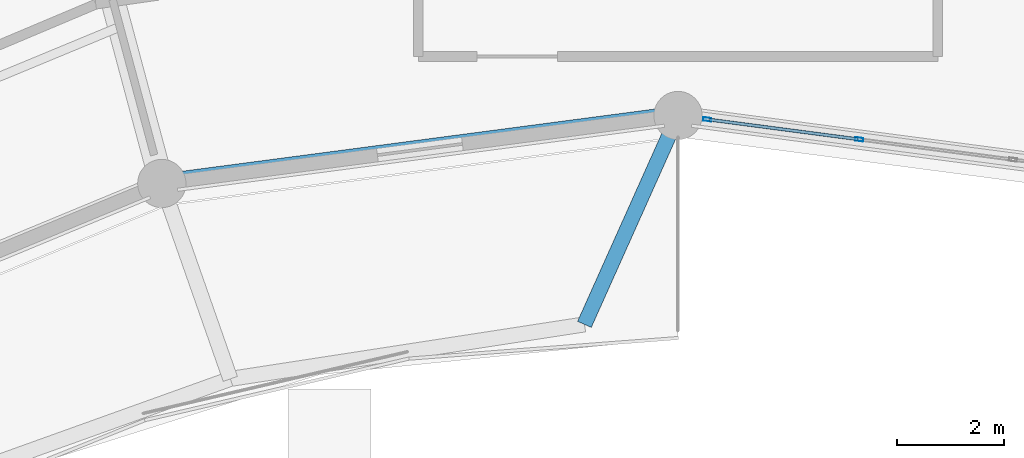
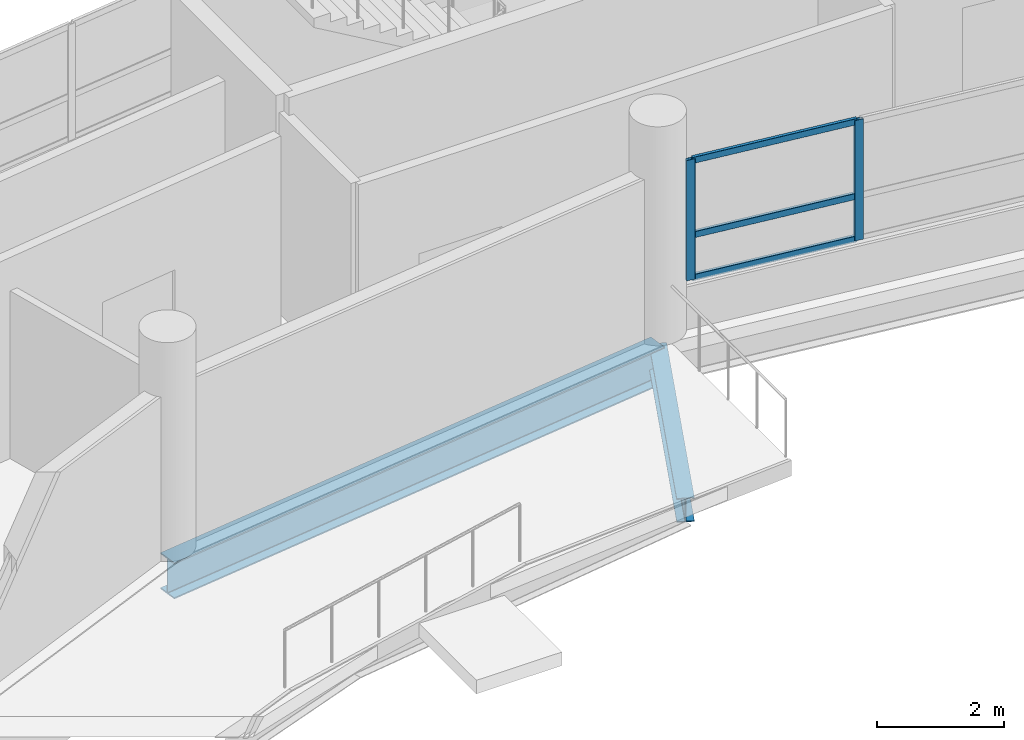
# One storey, part 65 of 128: 5 members, 2 beams, 1 element without a shape of its own.
"""IFC4 building model written with IfcOpenShell, lengths in metres."""

from ifc_helpers import new_model, si_unit, direction, frame, origin, origin_2d, place, context, subcontext, project, spatial, hollow_rectangle, i_section, extrude, material, layer, layer_set, material_profile, profile_set, type_object, element, aggregate, save


model = new_model("IFC4")

# Units and contexts
model_context = context("Model", 3, precision=1e-05, world=origin(), true_north=direction((0.0, 1.0)))
body_context = subcontext(model_context, "Body", "Model", "MODEL_VIEW")
ifc_project = project(units=[si_unit("LENGTHUNIT", "METRE"), si_unit("AREAUNIT", "SQUARE_METRE"), si_unit("VOLUMEUNIT", "CUBIC_METRE"), si_unit("PLANEANGLEUNIT", "RADIAN"), si_unit("MASSUNIT", "GRAM", prefix="KILO")], contexts=[model_context])

# Site, building, storey
site_placement = place(None, origin())
site = spatial("IfcSite", under=ifc_project, at=site_placement, CompositionType="ELEMENT")
building_placement = place(site_placement, origin())
building = spatial("IfcBuilding", under=site, at=building_placement, Name="Vespera Passage Community Centre", CompositionType="ELEMENT")
storey_placement = place(building_placement, frame((0.0, 0.0, 4.5)))
storey = spatial("IfcBuildingStorey", under=building, at=storey_placement, Name="L01", CompositionType="ELEMENT", Elevation=4.5)

# Beams
ifc_material_1 = material(Name="Steel ASTM A992 Grade 50", Category="steel")
ifc_material_profile_1 = material_profile(ifc_material_1, i_section(OverallWidth=0.280517578125, OverallDepth=0.46240234375, WebThickness=0.0107421875, FlangeThickness=0.017333984375, FilletRadius=0.01025390625, at=origin_2d()), Name="W18X76")
ifc_profile_set_1 = profile_set([ifc_material_profile_1], Name="Steel ASTM A992 Grade 50")
beam_type_1 = type_object("IfcBeamType", Name="BM-RB-W18X76E", PredefinedType="SPANDREL", material=ifc_profile_set_1)
beam_1_placement = place(storey_placement, frame((76.254638671875, 98.80419921875, -0.4912109375), z_axis=(0.408858840233, 0.912597637934, 0.0), x_axis=(-0.912597637934, 0.408858840233, 0.0)))
element("IfcBeam", 1, at=beam_1_placement, inside=storey, type_object=beam_type_1, Name="Courtyard Terrace Radial Beam 1", PredefinedType="SPANDREL", context=body_context, shape_type="SweptSolid", body=[
    extrude(i_section(OverallWidth=0.280517578125, OverallDepth=0.46240234375, WebThickness=0.0107421875, FlangeThickness=0.017333984375, FilletRadius=0.01025390625, at=origin_2d()), origin(), (0.0, 0.0, 1.0), 4.268798828125),
])
ifc_material_2 = material(Name="Steel ASTM A992 Grade 50", Category="steel")
ifc_material_profile_2 = material_profile(ifc_material_2, i_section(OverallWidth=0.3544921875, OverallDepth=0.695556640625, WebThickness=0.015380859375, FlangeThickness=0.024658203125, FilletRadius=0.01513671875, at=origin_2d()), Name="W27X146")
ifc_profile_set_2 = profile_set([ifc_material_profile_2], Name="Steel ASTM A992 Grade 50")
beam_type_2 = type_object("IfcBeamType", Name="BM-SP-W27X146E", PredefinedType="SPANDREL", material=ifc_profile_set_2)
beam_2_placement = place(storey_placement, frame((78.0, 102.699951171875, -0.587890625), z_axis=(-0.991444794834, -0.130526697639, 0.0), x_axis=(0.130526697639, -0.991444794834, 0.0)))
element("IfcBeam", 2, at=beam_2_placement, inside=storey, type_object=beam_type_2, Name="V4 L01 Inner Spandrel 6", PredefinedType="SPANDREL", context=body_context, shape_type="SweptSolid", body=[
    extrude(i_section(OverallWidth=0.3544921875, OverallDepth=0.695556640625, WebThickness=0.015380859375, FlangeThickness=0.024658203125, FilletRadius=0.01513671875, at=origin_2d()), origin(), (0.0, 0.0, 1.0), 9.711181640625),
])

# Curtain wall, members
ifc_material_3 = material(Name="Anodized aluminium 6063-T6", Category="aluminium")
ifc_layer = layer(ifc_material_3, 0.159912109375)
ifc_layer_set = layer_set([ifc_layer], Name="Anodized aluminium 6063-T6")
curtain_wall_type = type_object("IfcCurtainWallType", Name="CW-14E", PredefinedType="NOTDEFINED", material=ifc_layer_set)
curtain_wall_placement = place(storey_placement, origin())
curtain_wall = element("IfcCurtainWall", 3, at=curtain_wall_placement, inside=storey, type_object=curtain_wall_type, Name="V4 L01 Inner Court Curtain Wall 5", PredefinedType="NOTDEFINED")
ifc_material_4 = material(Name="Anodized aluminium 6063-T6", Category="aluminium")
ifc_material_profile_3 = material_profile(ifc_material_4, hollow_rectangle(XDim=0.06494140625, YDim=0.14990234375, WallThickness=0.00390625, InnerFilletRadius=0.001953125, OuterFilletRadius=0.00390625, at=origin_2d()), Name="ALU150X65X4")
ifc_profile_set_3 = profile_set([ifc_material_profile_3], Name="Anodized aluminium 6063-T6")
member_type_1 = type_object("IfcMemberType", Name="MB-CWM-150E", PredefinedType="MULLION", material=ifc_profile_set_3)
member_1_placement = place(storey_placement, frame((81.38037109375, 102.2548828125, 0.820068359375), z_axis=(0.0, 0.0, 1.0), x_axis=(-0.1305221941, -0.991445387728, 0.0)))
member_1 = element("IfcMember", 4, at=member_1_placement, type_object=member_type_1, Name="CW-14E mullion 3", PredefinedType="MULLION", context=body_context, shape_type="SweptSolid", body=[
    extrude(hollow_rectangle(XDim=0.06494140625, YDim=0.14990234375, WallThickness=0.00390625, InnerFilletRadius=0.001953125, OuterFilletRadius=0.00390625, at=origin_2d()), origin(), (0.0, 0.0, 1.0), 2.309326171875),
])
member_2_placement = place(storey_placement, frame((78.54541015625, 102.628173828125, 0.820068359375), z_axis=(0.0, 0.0, 1.0), x_axis=(-0.1305221941, -0.991445387728, 0.0)))
member_2 = element("IfcMember", 5, at=member_2_placement, type_object=member_type_1, Name="CW-14E mullion 4", PredefinedType="MULLION", context=body_context, shape_type="SweptSolid", body=[
    extrude(hollow_rectangle(XDim=0.06494140625, YDim=0.14990234375, WallThickness=0.00390625, InnerFilletRadius=0.001953125, OuterFilletRadius=0.00390625, at=origin_2d()), origin(), (0.0, 0.0, 1.0), 2.309326171875),
])
ifc_material_5 = material(Name="Anodized aluminium 6063-T6", Category="aluminium")
ifc_material_profile_4 = material_profile(ifc_material_5, hollow_rectangle(XDim=0.06005859375, YDim=0.1201171875, WallThickness=0.00390625, InnerFilletRadius=0.001953125, OuterFilletRadius=0.00390625, at=origin_2d()), Name="ALU120X60X4")
ifc_profile_set_4 = profile_set([ifc_material_profile_4], Name="Anodized aluminium 6063-T6")
member_type_2 = type_object("IfcMemberType", Name="MB-CWT-120E", PredefinedType="USERDEFINED", material=ifc_profile_set_4)
member_3_placement = place(storey_placement, frame((81.34814453125, 102.25927734375, 0.85009765625), z_axis=(-0.991444777059, 0.130526832651, 0.0), x_axis=(-0.130526832651, -0.991444777059, 0.0)))
member_3 = element("IfcMember", 6, at=member_3_placement, type_object=member_type_2, Name="CW-14E transom 3.1", ObjectType="TRANSOM", PredefinedType="USERDEFINED", context=body_context, shape_type="SweptSolid", body=[
    extrude(hollow_rectangle(XDim=0.06005859375, YDim=0.1201171875, WallThickness=0.00390625, InnerFilletRadius=0.001953125, OuterFilletRadius=0.00390625, at=origin_2d()), origin(), (0.0, 0.0, 1.0), 2.79443359375),
])
member_4_placement = place(storey_placement, frame((81.34814453125, 102.25927734375, 1.669921875), z_axis=(-0.991444777059, 0.130526832651, 0.0), x_axis=(-0.130526832651, -0.991444777059, 0.0)))
member_4 = element("IfcMember", 7, at=member_4_placement, type_object=member_type_2, Name="CW-14E transom 3.2", ObjectType="TRANSOM", PredefinedType="USERDEFINED", context=body_context, shape_type="SweptSolid", body=[
    extrude(hollow_rectangle(XDim=0.06005859375, YDim=0.1201171875, WallThickness=0.00390625, InnerFilletRadius=0.001953125, OuterFilletRadius=0.00390625, at=origin_2d()), origin(), (0.0, 0.0, 1.0), 2.79443359375),
])
member_5_placement = place(storey_placement, frame((81.34814453125, 102.25927734375, 3.099609375), z_axis=(-0.991444777059, 0.130526832651, 0.0), x_axis=(-0.130526832651, -0.991444777059, 0.0)))
member_5 = element("IfcMember", 8, at=member_5_placement, type_object=member_type_2, Name="CW-14E transom 3.3", ObjectType="TRANSOM", PredefinedType="USERDEFINED", context=body_context, shape_type="SweptSolid", body=[
    extrude(hollow_rectangle(XDim=0.06005859375, YDim=0.1201171875, WallThickness=0.00390625, InnerFilletRadius=0.001953125, OuterFilletRadius=0.00390625, at=origin_2d()), origin(), (0.0, 0.0, 1.0), 2.79443359375),
])
aggregate(curtain_wall, [member_1, member_2, member_3, member_4, member_5])

save(model, "model.ifc")
